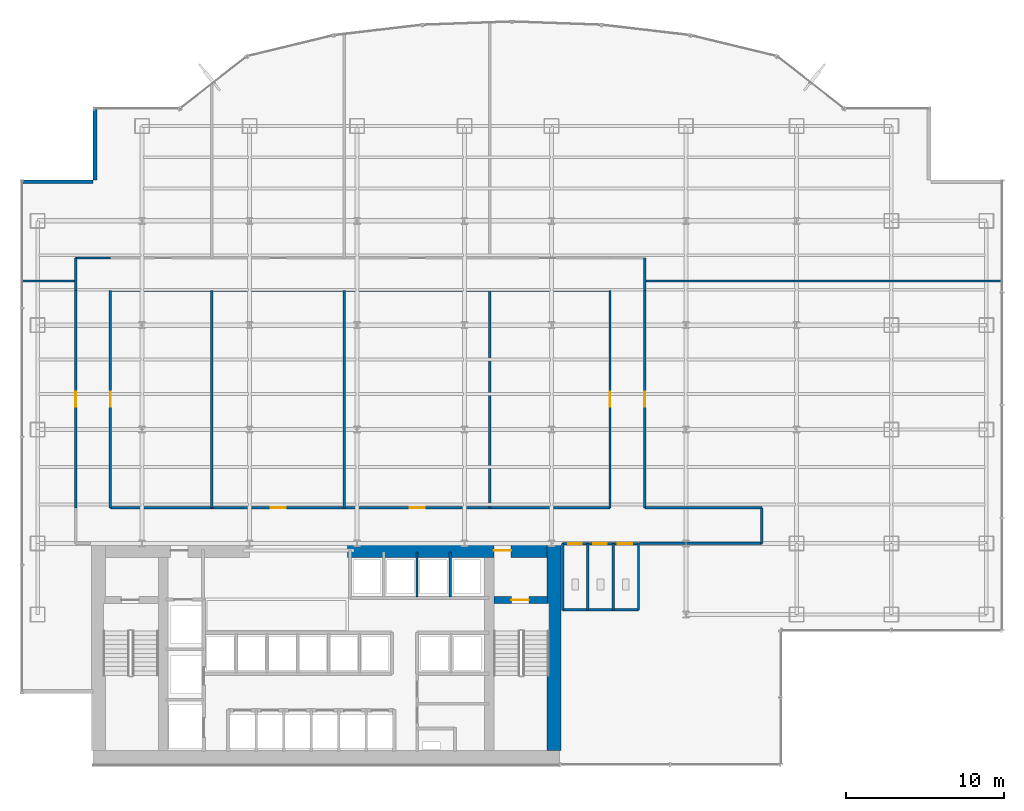
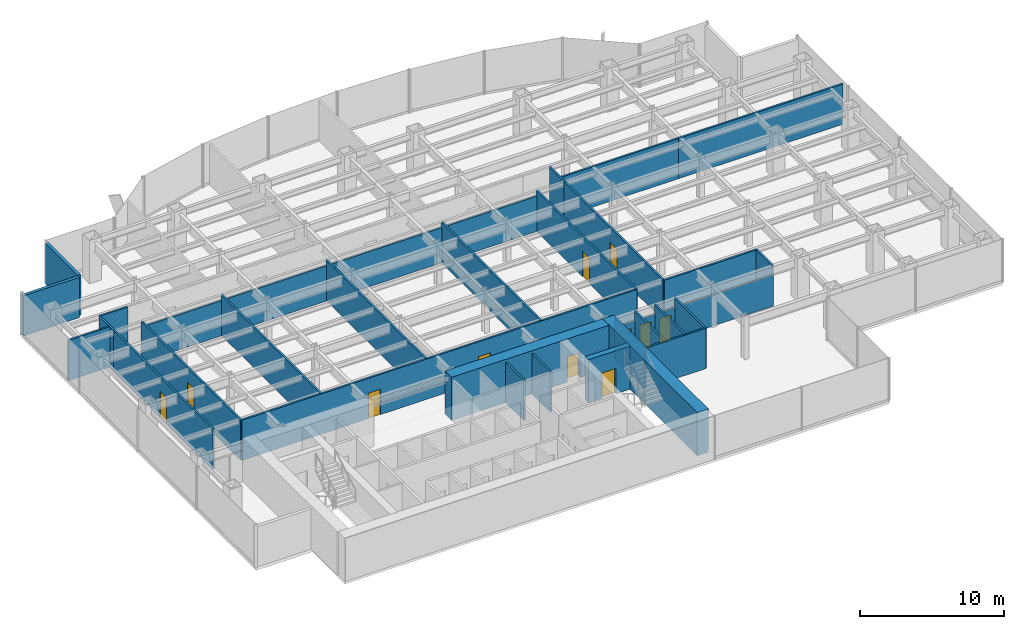
# One storey, part 19 of 23: 31 walls, 11 doors, 11 openings.
"""IFC4 building model written with IfcOpenShell, lengths in metres."""

from ifc_helpers import new_model, si_unit, derived_unit, direction, frame, frame_2d, origin, place, context, subcontext, project, spatial, rectangle, extrude, source, transform, mapped, material, layer, layer_set, type_object, element, fill, save


model = new_model("IFC4")

# Units and contexts
model_context = context("Model", 3, precision=1e-05, world=origin(), true_north=direction((0.0, 1.0)))
body_context = subcontext(model_context, "Body", "Model", "MODEL_VIEW")
ifc_project = project(units=[si_unit("LENGTHUNIT", "METRE"), si_unit("AREAUNIT", "SQUARE_METRE"), si_unit("VOLUMEUNIT", "CUBIC_METRE"), si_unit("PLANEANGLEUNIT", "RADIAN"), si_unit("MASSUNIT", "GRAM", prefix="KILO"), derived_unit("THERMALTRANSMITTANCEUNIT", [(si_unit("POWERUNIT", "WATT"), 1), (si_unit("LENGTHUNIT", "METRE"), -2), (si_unit("THERMODYNAMICTEMPERATUREUNIT", "KELVIN"), -1)])], contexts=[model_context])

# Site, building, storey
site_placement = place(None, origin())
site = spatial("IfcSite", under=ifc_project, at=site_placement, CompositionType="ELEMENT")
building_placement = place(site_placement, origin())
building = spatial("IfcBuilding", under=site, at=building_placement, Name="Skarnbrae Concourse Arena and Tower", CompositionType="ELEMENT")
storey_placement = place(building_placement, frame((0.0, 0.0, 47.10009765625)))
storey = spatial("IfcBuildingStorey", under=building, at=storey_placement, Name="L10", CompositionType="ELEMENT", Elevation=47.10009765625)

# Wall
ifc_material_1 = material(Name="Concrete 70 MPa (C70/85)", Category="concrete")
ifc_layer_1 = layer(ifc_material_1, 0.89990234375)
ifc_layer_set_1 = layer_set([ifc_layer_1], Name="Concrete 70 MPa (C70/85)")
wall_type_1 = type_object("IfcWallType", Name="WALL-CORE-900-C70", PredefinedType="SHEAR", material=ifc_layer_set_1)
shared_shape_1 = source(origin(), body_context, "Body", "SweptSolid", [
    extrude(rectangle(XDim=13.10009765625, YDim=0.89990234375, at=frame_2d((6.550048828125, 0.0))), origin(), (0.0, 0.0, 1.0), 3.64990234375),
])
wall_1_placement = place(storey_placement, frame((33.64990234375, 0.89990234375, 0.0), z_axis=(0.0, 0.0, 1.0), x_axis=(0.0, 1.0, 0.0)))
element("IfcWall", 1, at=wall_1_placement, inside=storey, type_object=wall_type_1, Name="L10 Rear core shear wall CW-E", PredefinedType="SHEAR", context=body_context, shape_type="MappedRepresentation", body=[
    mapped(shared_shape_1, transform((0.0, 0.0, 0.0))),
])

# Wall, opening, door
shared_shape_2 = source(origin(), body_context, "Body", "SweptSolid", [
    extrude(rectangle(XDim=12.599853515625, YDim=0.89990234375, at=frame_2d((6.2998046875, 0.0))), origin(), (0.0, 0.0, 1.0), 3.64990234375),
])
wall_2_placement = place(storey_placement, frame((20.60009765625, 13.550048828125, 0.0), z_axis=(0.0, 0.0, 1.0), x_axis=(1.0, 0.0, 0.0)))
wall_2 = element("IfcWall", 2, at=wall_2_placement, inside=storey, type_object=wall_type_1, Name="L10 Rear core shear wall CW-NE", PredefinedType="SHEAR", context=body_context, shape_type="MappedRepresentation", body=[
    mapped(shared_shape_2, transform((0.0, 0.0, 0.0))),
])
opening_1_placement = place(wall_2_placement, frame((9.25, 0.0, 0.0)))
opening_1 = element("IfcOpeningElement", 3, at=opening_1_placement, cuts=wall_2, Name="Opening DT-03", PredefinedType="OPENING", context=body_context, shape_type="SweptSolid", body=[
    extrude(rectangle(XDim=1.10009765625, YDim=2.14990234375, at=frame_2d((0.550048828125, 1.074951171875))), frame((0.0, 0.4599609375, 0.0), z_axis=(0.0, -1.0, 0.0), x_axis=(1.0, 0.0, 0.0)), (0.0, 0.0, 1.0), 0.919921875),
])
ifc_material_2 = material(Name="Steel CSA G40.21 350W", Category="steel")
door_type_1 = type_object("IfcDoorType", Name="DOOR-FIRE-1100-90M", OperationType="NOTDEFINED", PredefinedType="DOOR", material=ifc_material_2)
shared_shape_3 = source(origin(), body_context, "Body", "SweptSolid", [
    extrude(rectangle(XDim=1.10009765625, YDim=2.14990234375, at=frame_2d((0.550048828125, 1.074951171875))), frame((0.0, 0.02490234375, 0.0), z_axis=(0.0, -1.0, 0.0), x_axis=(1.0, 0.0, 0.0)), (0.0, 0.0, 1.0), 0.050048828125),
])
door_1_placement = place(opening_1_placement, origin())
door_1 = element("IfcDoor", 4, at=door_1_placement, inside=storey, type_object=door_type_1, Name="D-0440 Stair ST-2 Vestibule Door", OperationType="SINGLE_SWING_LEFT", OverallHeight=2.14990234375, OverallWidth=1.10009765625, PredefinedType="DOOR", context=body_context, shape_type="MappedRepresentation", body=[
    mapped(shared_shape_3, transform((0.0, 0.0, 0.0))),
])
fill(opening_1, door_1)

ifc_material_3 = material(Name="Concrete 50 MPa (C50/60)", Category="concrete")
ifc_layer_2 = layer(ifc_material_3, 0.449951171875)
ifc_layer_set_2 = layer_set([ifc_layer_2], Name="Concrete 50 MPa (C50/60)")
wall_type_2 = type_object("IfcWallType", Name="WALL-CORE-450-C50", PredefinedType="SHEAR", material=ifc_layer_set_2)
shared_shape_4 = source(origin(), body_context, "Body", "SweptSolid", [
    extrude(rectangle(XDim=3.389892578125, YDim=0.449951171875, at=frame_2d((1.69482421875, 0.0))), origin(), (0.0, 0.0, 1.0), 3.64990234375),
])
wall_3_placement = place(storey_placement, frame((29.860107421875, 10.419921875, 0.0), z_axis=(0.0, 0.0, 1.0), x_axis=(1.0, 0.0, 0.0)))
wall_3 = element("IfcWall", 5, at=wall_3_placement, inside=storey, type_object=wall_type_2, Name="L10 Rear core shear wall CW-ST2-N", PredefinedType="SHEAR", context=body_context, shape_type="MappedRepresentation", body=[
    mapped(shared_shape_4, transform((0.0, 0.0, 0.0))),
])
opening_2_placement = place(wall_3_placement, frame((1.10009765625, 0.0, 0.0)))
opening_2 = element("IfcOpeningElement", 6, at=opening_2_placement, cuts=wall_3, Name="Opening DT-03", PredefinedType="OPENING", context=body_context, shape_type="SweptSolid", body=[
    extrude(rectangle(XDim=1.10009765625, YDim=2.14990234375, at=frame_2d((0.550048828125, 1.074951171875))), frame((0.0, 0.23486328125, 0.0), z_axis=(0.0, -1.0, 0.0), x_axis=(1.0, 0.0, 0.0)), (0.0, 0.0, 1.0), 0.469970703125),
])
door_2_placement = place(opening_2_placement, frame((1.10009765625, 0.0, 0.0), z_axis=(0.0, 0.0, 1.0), x_axis=(-1.0, 0.0, 0.0)))
door_2 = element("IfcDoor", 7, at=door_2_placement, inside=storey, type_object=door_type_1, Name="D-0438 Stair ST-2 Door", OperationType="SINGLE_SWING_RIGHT", OverallHeight=2.14990234375, OverallWidth=1.10009765625, PredefinedType="DOOR", context=body_context, shape_type="MappedRepresentation", body=[
    mapped(shared_shape_3, transform((0.0, 0.0, 0.0))),
])
fill(opening_2, door_2)

# Walls
ifc_material_4 = material(Name="Precast concrete 40 MPa (C40/50)", Category="concrete")
ifc_layer_3 = layer(ifc_material_4, 0.25)
ifc_layer_set_3 = layer_set([ifc_layer_3], Name="Precast concrete 40 MPa (C40/50)")
wall_type_3 = type_object("IfcWallType", Name="WALL-EXT-SPANDREL-250", PredefinedType="STANDARD", material=ifc_layer_set_3)
shared_shape_5 = source(origin(), body_context, "Body", "SweptSolid", [
    extrude(rectangle(XDim=4.5, YDim=0.25, at=frame_2d((2.25, 0.0))), origin(), (0.0, 0.0, 1.0), 3.39990234375),
])
for number, where, z_axis, x_axis, name in (
    (8, (4.625, 41.5, 0.0), (0.0, 0.0, 1.0), (0.0, -1.0, 0.0), "L10 Notched corner insulated return wall 17"),
    (9, (4.5, 36.875, 0.0), (0.0, 0.0, 1.0), (-1.0, 0.0, 0.0), "L10 Notched corner insulated return wall 18"),
):
    element("IfcWall", number, at=place(storey_placement, frame(where, z_axis=z_axis, x_axis=x_axis)), inside=storey, type_object=wall_type_3, Name=name, PredefinedType="STANDARD", context=body_context, shape_type="MappedRepresentation", body=[
        mapped(shared_shape_5, transform((0.0, 0.0, 0.0))),
    ])
ifc_material_5 = material(Name="Gypsum board on cold-formed steel studs", Category="steel")
ifc_layer_4 = layer(ifc_material_5, 0.14990234375)
ifc_layer_set_4 = layer_set([ifc_layer_4], Name="Gypsum board on cold-formed steel studs")
wall_type_4 = type_object("IfcWallType", Name="WALL-PART-150", PredefinedType="PARTITIONING", material=ifc_layer_set_4)
shared_shape_6 = source(origin(), body_context, "Body", "SweptSolid", [
    extrude(rectangle(XDim=2.849853515625, YDim=0.14990234375, at=frame_2d((1.4248046875, 0.0))), origin(), (0.0, 0.0, 1.0), 3.39990234375),
])
for number, where, z_axis, x_axis, name in (
    (10, (24.989990234375, 10.60009765625, 0.0), (0.0, 0.0, 1.0), (0.0, 1.0, 0.0), "L10 Interior partition wall W-L10-B3N-P2"),
    (11, (27.090087890625, 10.60009765625, 0.0), (0.0, 0.0, 1.0), (0.0, 1.0, 0.0), "L10 Interior partition wall W-L10-B3N-P3"),
):
    element("IfcWall", number, at=place(storey_placement, frame(where, z_axis=z_axis, x_axis=x_axis)), inside=storey, type_object=wall_type_4, Name=name, PredefinedType="PARTITIONING", context=body_context, shape_type="MappedRepresentation", body=[
        mapped(shared_shape_6, transform((0.0, 0.0, 0.0))),
    ])

# Wall, openings, doors
shared_shape_7 = source(origin(), body_context, "Body", "SweptSolid", [
    extrude(rectangle(XDim=4.800048828125, YDim=0.14990234375, at=frame_2d((2.39990234375, 0.0))), origin(), (0.0, 0.0, 1.0), 2.625),
])
wall_4_placement = place(storey_placement, frame((34.199951171875, 13.97998046875, 0.0), z_axis=(0.0, 0.0, 1.0), x_axis=(1.0, 0.0, 0.0)))
wall_4 = element("IfcWall", 12, at=wall_4_placement, inside=storey, type_object=wall_type_4, Name="L10 Interior partition wall W-L10-WC-N", PredefinedType="PARTITIONING", context=body_context, shape_type="MappedRepresentation", body=[
    mapped(shared_shape_7, transform((0.0, 0.0, 0.0))),
])
opening_3_placement = place(wall_4_placement, frame((0.35009765625, 0.0, 0.0)))
opening_3 = element("IfcOpeningElement", 13, at=opening_3_placement, cuts=wall_4, Name="Opening DT-06", PredefinedType="OPENING", context=body_context, shape_type="SweptSolid", body=[
    extrude(rectangle(XDim=0.85009765625, YDim=2.10009765625, at=frame_2d((0.425048828125, 1.050048828125))), frame((0.0, 0.0849609375, 0.0), z_axis=(0.0, -1.0, 0.0), x_axis=(1.0, 0.0, 0.0)), (0.0, 0.0, 1.0), 0.169921875),
])
opening_4_placement = place(wall_4_placement, frame((1.949951171875, 0.0, 0.0)))
opening_4 = element("IfcOpeningElement", 14, at=opening_4_placement, cuts=wall_4, Name="Opening DT-06", PredefinedType="OPENING", context=body_context, shape_type="SweptSolid", body=[
    extrude(rectangle(XDim=0.85009765625, YDim=2.10009765625, at=frame_2d((0.425048828125, 1.050048828125))), frame((0.0, 0.0849609375, 0.0), z_axis=(0.0, -1.0, 0.0), x_axis=(1.0, 0.0, 0.0)), (0.0, 0.0, 1.0), 0.169921875),
])
opening_5_placement = place(wall_4_placement, frame((3.5, 0.0, 0.0)))
opening_5 = element("IfcOpeningElement", 15, at=opening_5_placement, cuts=wall_4, Name="Opening DT-05", PredefinedType="OPENING", context=body_context, shape_type="SweptSolid", body=[
    extrude(rectangle(XDim=0.89990234375, YDim=2.10009765625, at=frame_2d((0.449951171875, 1.050048828125))), frame((0.0, 0.0849609375, 0.0), z_axis=(0.0, -1.0, 0.0), x_axis=(1.0, 0.0, 0.0)), (0.0, 0.0, 1.0), 0.169921875),
])
ifc_material_6 = material(Name="Architectural oak veneer timber leaf", Category="wood")
door_type_2 = type_object("IfcDoorType", Name="DOOR-INT-850", OperationType="NOTDEFINED", PredefinedType="DOOR", material=ifc_material_6)
shared_shape_8 = source(origin(), body_context, "Body", "SweptSolid", [
    extrude(rectangle(XDim=0.85009765625, YDim=2.10009765625, at=frame_2d((0.425048828125, 1.050048828125))), frame((0.0, 0.02490234375, 0.0), z_axis=(0.0, -1.0, 0.0), x_axis=(1.0, 0.0, 0.0)), (0.0, 0.0, 1.0), 0.050048828125),
])
door_3_placement = place(opening_3_placement, frame((0.85009765625, 0.0, 0.0), z_axis=(0.0, 0.0, 1.0), x_axis=(-1.0, 0.0, 0.0)))
door_3 = element("IfcDoor", 16, at=door_3_placement, inside=storey, type_object=door_type_2, Name="D-0452 Male Washroom Door", OperationType="SINGLE_SWING_LEFT", OverallHeight=2.10009765625, OverallWidth=0.85009765625, PredefinedType="DOOR", context=body_context, shape_type="MappedRepresentation", body=[
    mapped(shared_shape_8, transform((0.0, 0.0, 0.0))),
])
fill(opening_3, door_3)
door_4_placement = place(opening_4_placement, frame((0.85009765625, 0.0, 0.0), z_axis=(0.0, 0.0, 1.0), x_axis=(-1.0, 0.0, 0.0)))
door_4 = element("IfcDoor", 17, at=door_4_placement, inside=storey, type_object=door_type_2, Name="D-0453 Female Washroom Door", OperationType="SINGLE_SWING_RIGHT", OverallHeight=2.10009765625, OverallWidth=0.85009765625, PredefinedType="DOOR", context=body_context, shape_type="MappedRepresentation", body=[
    mapped(shared_shape_8, transform((0.0, 0.0, 0.0))),
])
fill(opening_4, door_4)
door_type_3 = type_object("IfcDoorType", Name="DOOR-INT-900", OperationType="NOTDEFINED", PredefinedType="DOOR", material=ifc_material_6)
shared_shape_9 = source(origin(), body_context, "Body", "SweptSolid", [
    extrude(rectangle(XDim=0.89990234375, YDim=2.10009765625, at=frame_2d((0.449951171875, 1.050048828125))), frame((0.0, 0.02490234375, 0.0), z_axis=(0.0, -1.0, 0.0), x_axis=(1.0, 0.0, 0.0)), (0.0, 0.0, 1.0), 0.050048828125),
])
door_5_placement = place(opening_5_placement, frame((0.89990234375, 0.0, 0.0), z_axis=(0.0, 0.0, 1.0), x_axis=(-1.0, 0.0, 0.0)))
door_5 = element("IfcDoor", 18, at=door_5_placement, inside=storey, type_object=door_type_3, Name="D-0454 Accessible WC Door", OperationType="SINGLE_SWING_LEFT", OverallHeight=2.10009765625, OverallWidth=0.89990234375, PredefinedType="DOOR", context=body_context, shape_type="MappedRepresentation", body=[
    mapped(shared_shape_9, transform((0.0, 0.0, 0.0))),
])
fill(opening_5, door_5)

# Walls
shared_shape_10 = source(origin(), body_context, "Body", "SweptSolid", [
    extrude(rectangle(XDim=4.800048828125, YDim=0.14990234375, at=frame_2d((2.39990234375, 0.0))), origin(), (0.0, 0.0, 1.0), 3.39990234375),
])
wall_5_placement = place(storey_placement, frame((34.199951171875, 9.800048828125, 0.0), z_axis=(0.0, 0.0, 1.0), x_axis=(1.0, 0.0, 0.0)))
element("IfcWall", 19, at=wall_5_placement, inside=storey, type_object=wall_type_4, Name="L10 Interior partition wall W-L10-WC-S", PredefinedType="PARTITIONING", context=body_context, shape_type="MappedRepresentation", body=[
    mapped(shared_shape_10, transform((0.0, 0.0, 0.0))),
])
shared_shape_11 = source(origin(), body_context, "Body", "SweptSolid", [
    extrude(rectangle(XDim=4.179931640625, YDim=0.14990234375, at=frame_2d((2.08984375, 0.0))), origin(), (0.0, 0.0, 1.0), 3.39990234375),
])
for number, where, z_axis, x_axis, name in (
    (20, (39.0, 9.800048828125, 0.0), (0.0, 0.0, 1.0), (0.0, 1.0, 0.0), "L10 Interior partition wall W-L10-WC-E"),
    (21, (34.199951171875, 9.800048828125, 0.0), (0.0, 0.0, 1.0), (0.0, 1.0, 0.0), "L10 Interior partition wall W-L10-WC-W"),
    (22, (35.800048828125, 9.800048828125, 0.0), (0.0, 0.0, 1.0), (0.0, 1.0, 0.0), "L10 Interior partition wall W-L10-WC-D1"),
    (23, (37.39990234375, 9.800048828125, 0.0), (0.0, 0.0, 1.0), (0.0, 1.0, 0.0), "L10 Interior partition wall W-L10-WC-D2"),
):
    element("IfcWall", number, at=place(storey_placement, frame(where, z_axis=z_axis, x_axis=x_axis)), inside=storey, type_object=wall_type_4, Name=name, PredefinedType="PARTITIONING", context=body_context, shape_type="MappedRepresentation", body=[
        mapped(shared_shape_11, transform((0.0, 0.0, 0.0))),
    ])
ifc_layer_5 = layer(ifc_material_5, 0.14990234375)
ifc_layer_set_5 = layer_set([ifc_layer_5], Name="Gypsum board on cold-formed steel studs")
wall_type_5 = type_object("IfcWallType", Name="WALL-PART-150-1HR", PredefinedType="PARTITIONING", material=ifc_layer_set_5)
shared_shape_12 = source(origin(), body_context, "Body", "SweptSolid", [
    extrude(rectangle(XDim=2.25, YDim=0.14990234375, at=frame_2d((1.125, 0.0))), origin(), (0.0, 0.0, 1.0), 3.39990234375),
])
wall_6_placement = place(storey_placement, frame((46.800048828125, 16.25, 0.0), z_axis=(0.0, 0.0, 1.0), x_axis=(0.0, -1.0, 0.0)))
element("IfcWall", 24, at=wall_6_placement, inside=storey, type_object=wall_type_5, Name="L10 Interior partition wall W-L10-COR-11", PredefinedType="PARTITIONING", context=body_context, shape_type="MappedRepresentation", body=[
    mapped(shared_shape_12, transform((0.0, 0.0, 0.0))),
])
shared_shape_13 = source(origin(), body_context, "Body", "SweptSolid", [
    extrude(rectangle(XDim=2.050048828125, YDim=0.14990234375, at=frame_2d((1.02490234375, 0.0))), origin(), (0.0, 0.0, 1.0), 3.39990234375),
])
for number, where, z_axis, x_axis, name in (
    (25, (3.39990234375, 30.0, 0.0), (0.0, 0.0, 1.0), (0.0, 1.0, 0.0), "L10 Interior partition wall W-L10-COR-04"),
    (26, (39.39990234375, 32.050048828125, 0.0), (0.0, 0.0, 1.0), (0.0, -1.0, 0.0), "L10 Interior partition wall W-L10-COR-08"),
):
    element("IfcWall", number, at=place(storey_placement, frame(where, z_axis=z_axis, x_axis=x_axis)), inside=storey, type_object=wall_type_5, Name=name, PredefinedType="PARTITIONING", context=body_context, shape_type="MappedRepresentation", body=[
        mapped(shared_shape_13, transform((0.0, 0.0, 0.0))),
    ])
shared_shape_14 = source(origin(), body_context, "Body", "SweptSolid", [
    extrude(rectangle(XDim=2.2001953125, YDim=0.14990234375, at=frame_2d((1.10009765625, 0.0))), origin(), (0.0, 0.0, 1.0), 3.39990234375),
])
wall_7_placement = place(storey_placement, frame((3.39990234375, 32.050048828125, 0.0), z_axis=(0.0, 0.0, 1.0), x_axis=(1.0, 0.0, 0.0)))
element("IfcWall", 27, at=wall_7_placement, inside=storey, type_object=wall_type_5, Name="L10 Interior partition wall W-L10-COR-05", PredefinedType="PARTITIONING", context=body_context, shape_type="MappedRepresentation", body=[
    mapped(shared_shape_14, transform((0.0, 0.0, 0.0))),
])
shared_shape_15 = source(origin(), body_context, "Body", "SweptSolid", [
    extrude(rectangle(XDim=7.75, YDim=0.14990234375, at=frame_2d((3.875, 0.0))), origin(), (0.0, 0.0, 1.0), 2.625),
])
wall_8_placement = place(storey_placement, frame((46.800048828125, 14.0, 0.0), z_axis=(0.0, 0.0, 1.0), x_axis=(-1.0, 0.0, 0.0)))
element("IfcWall", 28, at=wall_8_placement, inside=storey, type_object=wall_type_5, Name="L10 Interior partition wall W-L10-COR-12", PredefinedType="PARTITIONING", context=body_context, shape_type="MappedRepresentation", body=[
    mapped(shared_shape_15, transform((0.0, 0.0, 0.0))),
])
shared_shape_16 = source(origin(), body_context, "Body", "SweptSolid", [
    extrude(rectangle(XDim=3.3798828125, YDim=0.14990234375, at=frame_2d((1.68994140625, 0.0))), origin(), (0.0, 0.0, 1.0), 3.39990234375),
])
wall_9_placement = place(storey_placement, frame((0.02001953125, 30.60009765625, 0.0), z_axis=(0.0, 0.0, 1.0), x_axis=(1.0, 0.0, 0.0)))
element("IfcWall", 29, at=wall_9_placement, inside=storey, type_object=wall_type_4, Name="L10 Interior partition wall W-L10-DEM-17", PredefinedType="PARTITIONING", context=body_context, shape_type="MappedRepresentation", body=[
    mapped(shared_shape_16, transform((0.0, 0.0, 0.0))),
])
shared_shape_17 = source(origin(), body_context, "Body", "SweptSolid", [
    extrude(rectangle(XDim=7.400146484375, YDim=0.14990234375, at=frame_2d((3.7001953125, 0.0))), origin(), (0.0, 0.0, 1.0), 3.39990234375),
])
wall_10_placement = place(storey_placement, frame((39.39990234375, 16.25, 0.0), z_axis=(0.0, 0.0, 1.0), x_axis=(1.0, 0.0, 0.0)))
element("IfcWall", 30, at=wall_10_placement, inside=storey, type_object=wall_type_5, Name="L10 Interior partition wall W-L10-COR-10", PredefinedType="PARTITIONING", context=body_context, shape_type="MappedRepresentation", body=[
    mapped(shared_shape_17, transform((0.0, 0.0, 0.0))),
])

# Wall, opening, door
shared_shape_18 = source(origin(), body_context, "Body", "SweptSolid", [
    extrude(rectangle(XDim=13.75, YDim=0.14990234375, at=frame_2d((6.875, 0.0))), origin(), (0.0, 0.0, 1.0), 3.39990234375),
])
wall_11_placement = place(storey_placement, frame((3.39990234375, 16.25, 0.0), z_axis=(0.0, 0.0, 1.0), x_axis=(0.0, 1.0, 0.0)))
wall_11 = element("IfcWall", 31, at=wall_11_placement, inside=storey, type_object=wall_type_5, Name="L10 Interior partition wall W-L10-COR-03", PredefinedType="PARTITIONING", context=body_context, shape_type="MappedRepresentation", body=[
    mapped(shared_shape_18, transform((0.0, 0.0, 0.0))),
])
opening_6_placement = place(wall_11_placement, frame((6.39990234375, 0.0, 0.0)))
opening_6 = element("IfcOpeningElement", 32, at=opening_6_placement, cuts=wall_11, Name="Opening DT-04", PredefinedType="OPENING", context=body_context, shape_type="SweptSolid", body=[
    extrude(rectangle(XDim=0.949951171875, YDim=2.14990234375, at=frame_2d((0.47509765625, 1.074951171875))), frame((0.0, 0.0849609375, 0.0), z_axis=(0.0, -1.0, 0.0), x_axis=(1.0, 0.0, 0.0)), (0.0, 0.0, 1.0), 0.169921875),
])
door_type_4 = type_object("IfcDoorType", Name="DOOR-INT-950-45M", OperationType="NOTDEFINED", PredefinedType="DOOR", material=ifc_material_2)
shared_shape_19 = source(origin(), body_context, "Body", "SweptSolid", [
    extrude(rectangle(XDim=0.949951171875, YDim=2.14990234375, at=frame_2d((0.47509765625, 1.074951171875))), frame((0.0, 0.02490234375, 0.0), z_axis=(0.0, -1.0, 0.0), x_axis=(1.0, 0.0, 0.0)), (0.0, 0.0, 1.0), 0.050048828125),
])
door_6_placement = place(opening_6_placement, origin())
door_6 = element("IfcDoor", 33, at=door_6_placement, inside=storey, type_object=door_type_4, Name="D-0455 L10 Suite Door 01", OperationType="SINGLE_SWING_RIGHT", OverallHeight=2.14990234375, OverallWidth=0.949951171875, PredefinedType="DOOR", context=body_context, shape_type="MappedRepresentation", body=[
    mapped(shared_shape_19, transform((0.0, 0.0, 0.0))),
])
fill(opening_6, door_6)

wall_12_placement = place(storey_placement, frame((39.39990234375, 30.0, 0.0), z_axis=(0.0, 0.0, 1.0), x_axis=(0.0, -1.0, 0.0)))
wall_12 = element("IfcWall", 34, at=wall_12_placement, inside=storey, type_object=wall_type_5, Name="L10 Interior partition wall W-L10-COR-09", PredefinedType="PARTITIONING", context=body_context, shape_type="MappedRepresentation", body=[
    mapped(shared_shape_18, transform((0.0, 0.0, 0.0))),
])
opening_7_placement = place(wall_12_placement, frame((6.39990234375, 0.0, 0.0)))
opening_7 = element("IfcOpeningElement", 35, at=opening_7_placement, cuts=wall_12, Name="Opening DT-04", PredefinedType="OPENING", context=body_context, shape_type="SweptSolid", body=[
    extrude(rectangle(XDim=0.949951171875, YDim=2.14990234375, at=frame_2d((0.47509765625, 1.074951171875))), frame((0.0, 0.0849609375, 0.0), z_axis=(0.0, -1.0, 0.0), x_axis=(1.0, 0.0, 0.0)), (0.0, 0.0, 1.0), 0.169921875),
])
door_7_placement = place(opening_7_placement, origin())
door_7 = element("IfcDoor", 36, at=door_7_placement, inside=storey, type_object=door_type_4, Name="D-0464 L10 Suite Door 10", OperationType="SINGLE_SWING_LEFT", OverallHeight=2.14990234375, OverallWidth=0.949951171875, PredefinedType="DOOR", context=body_context, shape_type="MappedRepresentation", body=[
    mapped(shared_shape_19, transform((0.0, 0.0, 0.0))),
])
fill(opening_7, door_7)

wall_13_placement = place(storey_placement, frame((37.199951171875, 16.25, 0.0), z_axis=(0.0, 0.0, 1.0), x_axis=(0.0, 1.0, 0.0)))
wall_13 = element("IfcWall", 37, at=wall_13_placement, inside=storey, type_object=wall_type_5, Name="L10 Interior partition wall W-L10-COR-14", PredefinedType="PARTITIONING", context=body_context, shape_type="MappedRepresentation", body=[
    mapped(shared_shape_18, transform((0.0, 0.0, 0.0))),
])
opening_8_placement = place(wall_13_placement, frame((6.39990234375, 0.0, 0.0)))
opening_8 = element("IfcOpeningElement", 38, at=opening_8_placement, cuts=wall_13, Name="Opening DT-04", PredefinedType="OPENING", context=body_context, shape_type="SweptSolid", body=[
    extrude(rectangle(XDim=0.949951171875, YDim=2.14990234375, at=frame_2d((0.47509765625, 1.074951171875))), frame((0.0, 0.0849609375, 0.0), z_axis=(0.0, -1.0, 0.0), x_axis=(1.0, 0.0, 0.0)), (0.0, 0.0, 1.0), 0.169921875),
])
door_8_placement = place(opening_8_placement, origin())
door_8 = element("IfcDoor", 39, at=door_8_placement, inside=storey, type_object=door_type_4, Name="D-0462 L10 Suite Door 08", OperationType="SINGLE_SWING_LEFT", OverallHeight=2.14990234375, OverallWidth=0.949951171875, PredefinedType="DOOR", context=body_context, shape_type="MappedRepresentation", body=[
    mapped(shared_shape_19, transform((0.0, 0.0, 0.0))),
])
fill(opening_8, door_8)

wall_14_placement = place(storey_placement, frame((5.60009765625, 30.0, 0.0), z_axis=(0.0, 0.0, 1.0), x_axis=(0.0, -1.0, 0.0)))
wall_14 = element("IfcWall", 40, at=wall_14_placement, inside=storey, type_object=wall_type_5, Name="L10 Interior partition wall W-L10-COR-16", PredefinedType="PARTITIONING", context=body_context, shape_type="MappedRepresentation", body=[
    mapped(shared_shape_18, transform((0.0, 0.0, 0.0))),
])
opening_9_placement = place(wall_14_placement, frame((6.39990234375, 0.0, 0.0)))
opening_9 = element("IfcOpeningElement", 41, at=opening_9_placement, cuts=wall_14, Name="Opening DT-04", PredefinedType="OPENING", context=body_context, shape_type="SweptSolid", body=[
    extrude(rectangle(XDim=0.949951171875, YDim=2.14990234375, at=frame_2d((0.47509765625, 1.074951171875))), frame((0.0, 0.0849609375, 0.0), z_axis=(0.0, -1.0, 0.0), x_axis=(1.0, 0.0, 0.0)), (0.0, 0.0, 1.0), 0.169921875),
])
door_9_placement = place(opening_9_placement, origin())
door_9 = element("IfcDoor", 42, at=door_9_placement, inside=storey, type_object=door_type_4, Name="D-0457 L10 Suite Door 03", OperationType="SINGLE_SWING_RIGHT", OverallHeight=2.14990234375, OverallWidth=0.949951171875, PredefinedType="DOOR", context=body_context, shape_type="MappedRepresentation", body=[
    mapped(shared_shape_19, transform((0.0, 0.0, 0.0))),
])
fill(opening_9, door_9)

# Walls
for number, where, z_axis, x_axis, name in (
    (43, (12.0, 30.0, 0.0), (0.0, 0.0, 1.0), (0.0, -1.0, 0.0), "L10 Interior partition wall W-L10-DEM-18"),
    (44, (20.39990234375, 30.0, 0.0), (0.0, 0.0, 1.0), (0.0, -1.0, 0.0), "L10 Interior partition wall W-L10-DEM-20"),
    (45, (29.60009765625, 30.0, 0.0), (0.0, 0.0, 1.0), (0.0, -1.0, 0.0), "L10 Interior partition wall W-L10-DEM-22"),
):
    element("IfcWall", number, at=place(storey_placement, frame(where, z_axis=z_axis, x_axis=x_axis)), inside=storey, type_object=wall_type_4, Name=name, PredefinedType="PARTITIONING", context=body_context, shape_type="MappedRepresentation", body=[
        mapped(shared_shape_18, transform((0.0, 0.0, 0.0))),
    ])

# Wall, openings, doors
shared_shape_20 = source(origin(), body_context, "Body", "SweptSolid", [
    extrude(rectangle(XDim=31.599853515625, YDim=0.14990234375, at=frame_2d((15.7998046875, 0.0))), origin(), (0.0, 0.0, 1.0), 3.39990234375),
])
wall_15_placement = place(storey_placement, frame((5.60009765625, 16.25, 0.0), z_axis=(0.0, 0.0, 1.0), x_axis=(1.0, 0.0, 0.0)))
wall_15 = element("IfcWall", 46, at=wall_15_placement, inside=storey, type_object=wall_type_5, Name="L10 Interior partition wall W-L10-COR-13", PredefinedType="PARTITIONING", context=body_context, shape_type="MappedRepresentation", body=[
    mapped(shared_shape_20, transform((0.0, 0.0, 0.0))),
])
opening_10_placement = place(wall_15_placement, frame((10.125, 0.0, 0.0)))
opening_10 = element("IfcOpeningElement", 47, at=opening_10_placement, cuts=wall_15, Name="Opening DT-04", PredefinedType="OPENING", context=body_context, shape_type="SweptSolid", body=[
    extrude(rectangle(XDim=0.949951171875, YDim=2.14990234375, at=frame_2d((0.47509765625, 1.074951171875))), frame((0.0, 0.0849609375, 0.0), z_axis=(0.0, -1.0, 0.0), x_axis=(1.0, 0.0, 0.0)), (0.0, 0.0, 1.0), 0.169921875),
])
opening_11_placement = place(wall_15_placement, frame((18.925048828125, 0.0, 0.0)))
opening_11 = element("IfcOpeningElement", 48, at=opening_11_placement, cuts=wall_15, Name="Opening DT-04", PredefinedType="OPENING", context=body_context, shape_type="SweptSolid", body=[
    extrude(rectangle(XDim=0.949951171875, YDim=2.14990234375, at=frame_2d((0.47509765625, 1.074951171875))), frame((0.0, 0.0849609375, 0.0), z_axis=(0.0, -1.0, 0.0), x_axis=(1.0, 0.0, 0.0)), (0.0, 0.0, 1.0), 0.169921875),
])
door_10_placement = place(opening_10_placement, origin())
door_10 = element("IfcDoor", 49, at=door_10_placement, inside=storey, type_object=door_type_4, Name="D-0458 L10 Suite Door 04", OperationType="SINGLE_SWING_LEFT", OverallHeight=2.14990234375, OverallWidth=0.949951171875, PredefinedType="DOOR", context=body_context, shape_type="MappedRepresentation", body=[
    mapped(shared_shape_19, transform((0.0, 0.0, 0.0))),
])
fill(opening_10, door_10)
door_11_placement = place(opening_11_placement, origin())
door_11 = element("IfcDoor", 50, at=door_11_placement, inside=storey, type_object=door_type_4, Name="D-0460 L10 Suite Door 06", OperationType="SINGLE_SWING_LEFT", OverallHeight=2.14990234375, OverallWidth=0.949951171875, PredefinedType="DOOR", context=body_context, shape_type="MappedRepresentation", body=[
    mapped(shared_shape_19, transform((0.0, 0.0, 0.0))),
])
fill(opening_11, door_11)

# Walls
shared_shape_21 = source(origin(), body_context, "Body", "SweptSolid", [
    extrude(rectangle(XDim=31.599853515625, YDim=0.14990234375, at=frame_2d((15.7998046875, 0.0))), origin(), (0.0, 0.0, 1.0), 2.977783203125),
])
wall_16_placement = place(storey_placement, frame((37.199951171875, 30.0, 0.0), z_axis=(0.0, 0.0, 1.0), x_axis=(-1.0, 0.0, 0.0)))
element("IfcWall", 51, at=wall_16_placement, inside=storey, type_object=wall_type_5, Name="L10 Interior partition wall W-L10-COR-15", PredefinedType="PARTITIONING", context=body_context, shape_type="MappedRepresentation", body=[
    mapped(shared_shape_21, transform((0.0, 0.0, 0.0))),
])
shared_shape_22 = source(origin(), body_context, "Body", "SweptSolid", [
    extrude(rectangle(XDim=13.179931640625, YDim=0.14990234375, at=frame_2d((6.58984375, 0.0))), origin(), (0.0, 0.0, 1.0), 3.39990234375),
])
wall_17_placement = place(storey_placement, frame((61.97998046875, 30.60009765625, 0.0), z_axis=(0.0, 0.0, 1.0), x_axis=(-1.0, 0.0, 0.0)))
element("IfcWall", 52, at=wall_17_placement, inside=storey, type_object=wall_type_4, Name="L10 Interior partition wall W-L10-DEM-24", PredefinedType="PARTITIONING", context=body_context, shape_type="MappedRepresentation", body=[
    mapped(shared_shape_22, transform((0.0, 0.0, 0.0))),
])
shared_shape_23 = source(origin(), body_context, "Body", "SweptSolid", [
    extrude(rectangle(XDim=9.400146484375, YDim=0.14990234375, at=frame_2d((4.7001953125, 0.0))), origin(), (0.0, 0.0, 1.0), 3.39990234375),
])
wall_18_placement = place(storey_placement, frame((48.800048828125, 30.60009765625, 0.0), z_axis=(0.0, 0.0, 1.0), x_axis=(-1.0, 0.0, 0.0)))
element("IfcWall", 53, at=wall_18_placement, inside=storey, type_object=wall_type_4, Name="L10 Interior partition wall W-L10-DEM-25", PredefinedType="PARTITIONING", context=body_context, shape_type="MappedRepresentation", body=[
    mapped(shared_shape_23, transform((0.0, 0.0, 0.0))),
])

save(model, "model.ifc")
